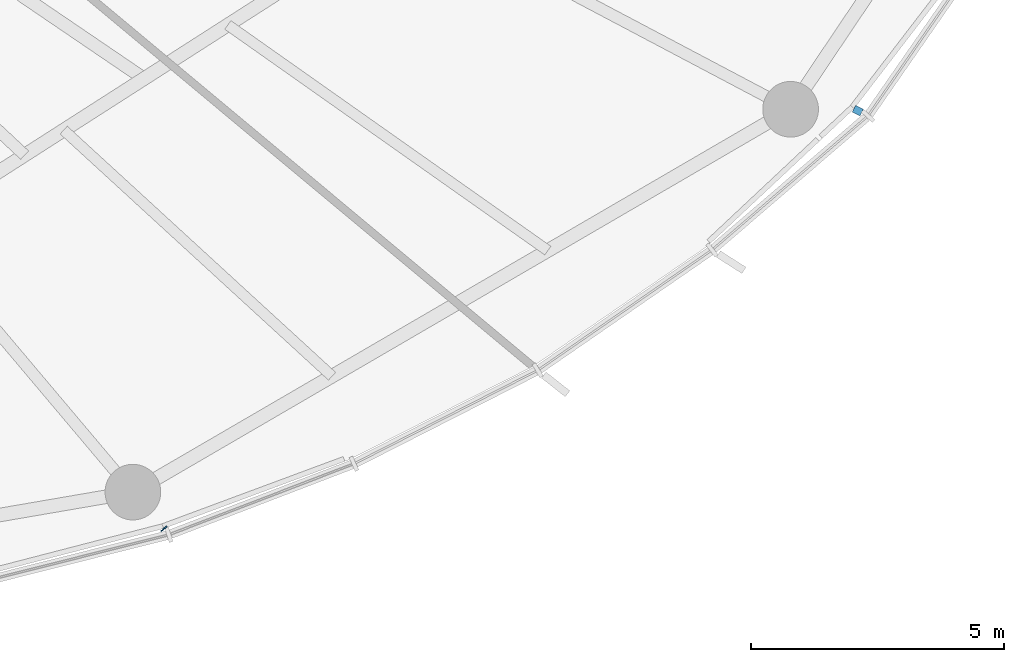
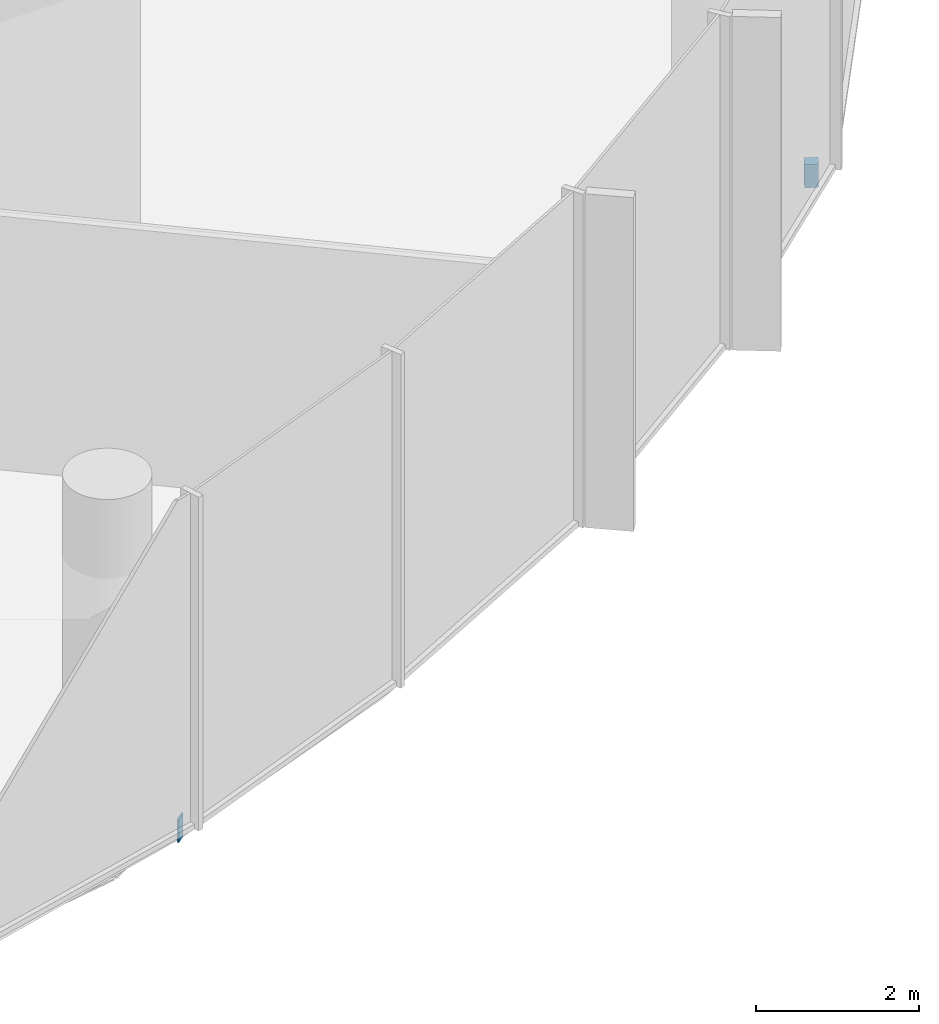
# One storey, part 20 of 27: 2 discrete accessories.
"""IFC4 building model written with IfcOpenShell, lengths in metres."""

from ifc_helpers import new_model, si_unit, direction, frame, origin, origin_2d, place, context, subcontext, project, spatial, rectangle, extrude, material, type_object, element, save


model = new_model("IFC4")

# Units and contexts
model_context = context("Model", 3, precision=1e-05, world=origin(), true_north=direction((0.0, 1.0)))
body_context = subcontext(model_context, "Body", "Model", "MODEL_VIEW")
ifc_project = project(units=[si_unit("LENGTHUNIT", "METRE"), si_unit("AREAUNIT", "SQUARE_METRE"), si_unit("VOLUMEUNIT", "CUBIC_METRE"), si_unit("PLANEANGLEUNIT", "RADIAN"), si_unit("MASSUNIT", "GRAM", prefix="KILO")], contexts=[model_context])

# Site, building, storey
site_placement = place(None, origin())
site = spatial("IfcSite", under=ifc_project, at=site_placement, CompositionType="ELEMENT")
building_placement = place(site_placement, origin())
building = spatial("IfcBuilding", under=site, at=building_placement, Name="Ghaith Harvest Tower", CompositionType="ELEMENT")
storey_placement = place(building_placement, frame((0.0, 0.0, 10.0)))
storey = spatial("IfcBuildingStorey", under=building, at=storey_placement, Name="L02", CompositionType="ELEMENT", Elevation=10.0)

# Discrete accessories
ifc_material_1 = material(Name="Stainless steel grade 1.4401", Category="steel")
discrete_accessory_type_1 = type_object("IfcDiscreteAccessoryType", Name="CURTAIN WALL BRACKET 175", PredefinedType="BRACKET", material=ifc_material_1)
discrete_accessory_1_placement = place(storey_placement, frame((36.29736328125, -18.51220703125, -0.25), z_axis=(0.0, 0.0, 1.0), x_axis=(0.890830752177, -0.454335306767, 0.0)))
element("IfcDiscreteAccessory", 1, at=discrete_accessory_1_placement, inside=storey, type_object=discrete_accessory_type_1, Name="CW-P bracket 2 bay 19 L02", PredefinedType="BRACKET", context=body_context, shape_type="SweptSolid", body=[
    extrude(rectangle(XDim=0.175048828125, YDim=0.14990234375, at=origin_2d()), origin(), (0.0, 0.0, 1.0), 0.35009765625),
])
ifc_material_2 = material(Name="Stainless steel grade 1.4401", Category="steel")
discrete_accessory_type_2 = type_object("IfcDiscreteAccessoryType", Name="CURTAIN WALL BRACKET 25", PredefinedType="BRACKET", material=ifc_material_2)
discrete_accessory_2_placement = place(storey_placement, frame((22.58154296875, -26.778564453125, -0.25), z_axis=(0.0, 0.0, 1.0), x_axis=(0.644657240069, -0.764471741025, 0.0)))
element("IfcDiscreteAccessory", 2, at=discrete_accessory_2_placement, inside=storey, type_object=discrete_accessory_type_2, Name="CW-P bracket 1 bay 18 L02", PredefinedType="BRACKET", context=body_context, shape_type="SweptSolid", body=[
    extrude(rectangle(XDim=0.02490234375, YDim=0.14990234375, at=origin_2d()), origin(), (0.0, 0.0, 1.0), 0.35009765625),
])

save(model, "model.ifc")
